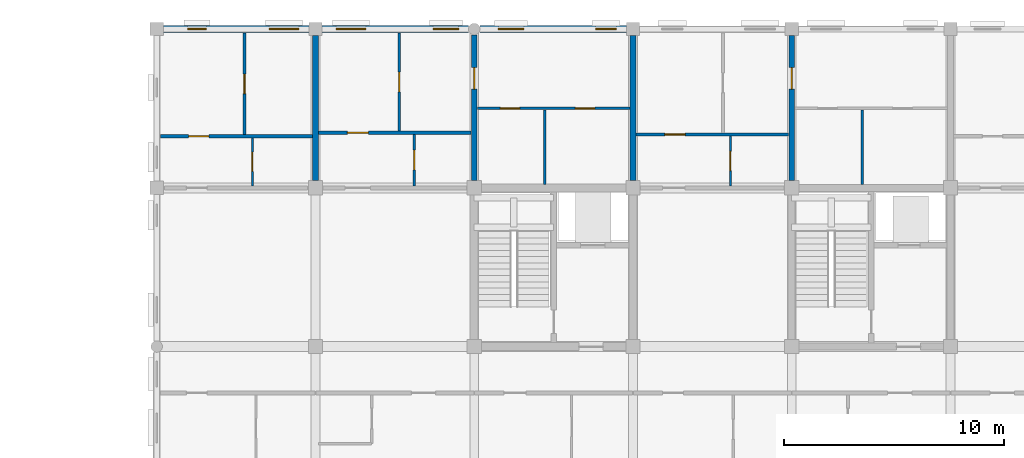
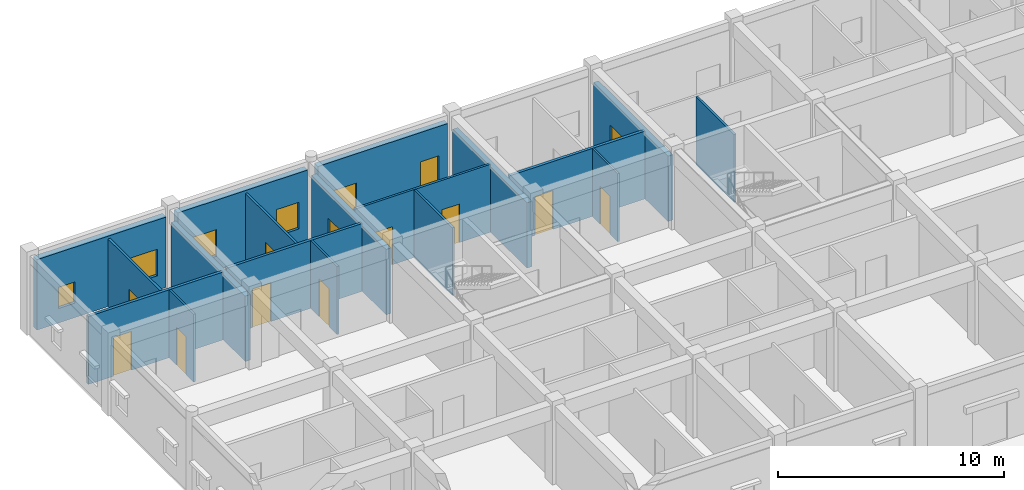
# One storey, part 118 of 138: 18 walls, 12 doors, 6 windows, 18 openings.
"""IFC4 building model written with IfcOpenShell, lengths in metres."""

from ifc_helpers import new_model, si_unit, direction, frame, frame_2d, origin, place, context, subcontext, project, spatial, rectangle, extrude, material, layer, layer_set, type_object, element, fill, save


model = new_model("IFC4")

# Units and contexts
model_context = context("Model", 3, precision=1e-05, world=origin(), true_north=direction((0.0, 1.0)))
body_context = subcontext(model_context, "Body", "Model", "MODEL_VIEW")
ifc_project = project(units=[si_unit("LENGTHUNIT", "METRE"), si_unit("AREAUNIT", "SQUARE_METRE"), si_unit("VOLUMEUNIT", "CUBIC_METRE"), si_unit("PLANEANGLEUNIT", "RADIAN"), si_unit("MASSUNIT", "GRAM", prefix="KILO"), si_unit("THERMODYNAMICTEMPERATUREUNIT", "KELVIN"), si_unit("POWERUNIT", "WATT")], contexts=[model_context])

# Site, building, storey
site_placement = place(None, origin())
site = spatial("IfcSite", under=ifc_project, at=site_placement, CompositionType="ELEMENT")
building_placement = place(site_placement, origin())
building = spatial("IfcBuilding", under=site, at=building_placement, Name="Tavuni Mirador Residences", CompositionType="ELEMENT")
storey_placement = place(building_placement, origin())
storey = spatial("IfcBuildingStorey", under=building, at=storey_placement, Name="L00", CompositionType="ELEMENT", Elevation=0.0)

# Wall, openings, windows
ifc_material_1 = material(Name="Precast concrete C40/50", Category="concrete")
ifc_layer_1 = layer(ifc_material_1, 0.330078125, Name="Precast concrete C40/50", Category="concrete")
ifc_layer_set_1 = layer_set([ifc_layer_1], Name="Precast concrete C40/50")
wall_type_1 = type_object("IfcWallType", Name="WT-EXT-COR330", PredefinedType="SOLIDWALL", material=ifc_layer_set_1)
wall_1_placement = place(storey_placement, frame((17.699951171875, 172.800048828125, 0.0), z_axis=(0.0, 0.0, 1.0), x_axis=(-1.0, 0.0, 0.0)))
wall_1 = element("IfcWall", 1, at=wall_1_placement, inside=storey, type_object=wall_type_1, Name="EW-BLK-C-L00-N00", PredefinedType="SOLIDWALL", context=body_context, shape_type="SweptSolid", body=[
    extrude(rectangle(XDim=6.599853515625, YDim=0.330078125, at=frame_2d((3.2998046875, 0.0))), origin(), (0.0, 0.0, 1.0), 3.804931640625),
])
opening_1_placement = place(wall_1_placement, frame((0.449951171875, 0.0, 0.780029296875)))
opening_1 = element("IfcOpeningElement", 2, at=opening_1_placement, cuts=wall_1, Name="Opening WN-29", PredefinedType="OPENING", context=body_context, shape_type="SweptSolid", body=[
    extrude(rectangle(XDim=1.35009765625, YDim=1.43994140625, at=frame_2d((0.675048828125, 0.719970703125))), frame((0.0, 0.175048828125, 0.0), z_axis=(0.0, -1.0, 0.0), x_axis=(1.0, 0.0, 0.0)), (0.0, 0.0, 1.0), 0.35009765625),
])
opening_2_placement = place(wall_1_placement, frame((4.64990234375, 0.0, 0.780029296875)))
opening_2 = element("IfcOpeningElement", 3, at=opening_2_placement, cuts=wall_1, Name="Opening WN-01", PredefinedType="OPENING", context=body_context, shape_type="SweptSolid", body=[
    extrude(rectangle(XDim=0.85009765625, YDim=1.14990234375, at=frame_2d((0.425048828125, 0.574951171875))), frame((0.0, 0.175048828125, 0.0), z_axis=(0.0, -1.0, 0.0), x_axis=(1.0, 0.0, 0.0)), (0.0, 0.0, 1.0), 0.35009765625),
])
ifc_material_2 = material(Name="Laminated solar-control glass", Category="glass")
window_type_1 = type_object("IfcWindowType", Name="WNT-01", PartitioningType="SINGLE_PANEL", PredefinedType="WINDOW", material=ifc_material_2)
window_1_placement = place(opening_2_placement, origin())
window_1 = element("IfcWindow", 4, at=window_1_placement, inside=storey, type_object=window_type_1, Name="WIN-0839", OverallHeight=1.14990234375, OverallWidth=0.85009765625, PartitioningType="SINGLE_PANEL", PredefinedType="WINDOW", context=body_context, shape_type="SweptSolid", body=[
    extrude(rectangle(XDim=0.85009765625, YDim=1.14990234375, at=frame_2d((0.425048828125, 0.574951171875))), frame((0.0, 0.030029296875, 0.0), z_axis=(0.0, -1.0, 0.0), x_axis=(1.0, 0.0, 0.0)), (0.0, 0.0, 1.0), 0.06005859375),
])
fill(opening_2, window_1)
window_type_2 = type_object("IfcWindowType", Name="WNT-29", PartitioningType="SINGLE_PANEL", PredefinedType="WINDOW", material=ifc_material_2)
window_2_placement = place(opening_1_placement, origin())
window_2 = element("IfcWindow", 5, at=window_2_placement, inside=storey, type_object=window_type_2, Name="WIN-0838", OverallHeight=1.43994140625, OverallWidth=1.35009765625, PartitioningType="SINGLE_PANEL", PredefinedType="WINDOW", context=body_context, shape_type="SweptSolid", body=[
    extrude(rectangle(XDim=1.35009765625, YDim=1.43994140625, at=frame_2d((0.675048828125, 0.719970703125))), frame((0.0, 0.030029296875, 0.0), z_axis=(0.0, -1.0, 0.0), x_axis=(1.0, 0.0, 0.0)), (0.0, 0.0, 1.0), 0.06005859375),
])
fill(opening_1, window_2)

ifc_material_3 = material(Name="Sgraffito lime-rendered precast concrete C40/50", Category="concrete")
ifc_layer_2 = layer(ifc_material_3, 0.304931640625, Name="Sgraffito lime-rendered precast concrete C40/50", Category="concrete")
ifc_layer_set_2 = layer_set([ifc_layer_2], Name="Sgraffito lime-rendered precast concrete C40/50")
wall_type_2 = type_object("IfcWallType", Name="WT-EXT-PC305", PredefinedType="SOLIDWALL", material=ifc_layer_set_2)
wall_2_placement = place(storey_placement, frame((32.10009765625, 172.800048828125, 0.0), z_axis=(0.0, 0.0, 1.0), x_axis=(-1.0, 0.0, 0.0)))
wall_2 = element("IfcWall", 6, at=wall_2_placement, inside=storey, type_object=wall_type_2, Name="EW-BLK-C-L00-N02", PredefinedType="SOLIDWALL", context=body_context, shape_type="SweptSolid", body=[
    extrude(rectangle(XDim=6.64013671875, YDim=0.304931640625, at=frame_2d((3.320068359375, 0.0))), origin(), (0.0, 0.0, 1.0), 3.804931640625),
])
opening_3_placement = place(wall_2_placement, frame((0.449951171875, 0.0, 0.780029296875)))
opening_3 = element("IfcOpeningElement", 7, at=opening_3_placement, cuts=wall_2, Name="Opening WN-25", PredefinedType="OPENING", context=body_context, shape_type="SweptSolid", body=[
    extrude(rectangle(XDim=0.93994140625, YDim=1.43994140625, at=frame_2d((0.469970703125, 0.719970703125))), frame((0.0, 0.16259765625, 0.0), z_axis=(0.0, -1.0, 0.0), x_axis=(1.0, 0.0, 0.0)), (0.0, 0.0, 1.0), 0.324951171875),
])
opening_4_placement = place(wall_2_placement, frame((4.64990234375, 0.0, 0.780029296875)))
opening_4 = element("IfcOpeningElement", 8, at=opening_4_placement, cuts=wall_2, Name="Opening WN-27", PredefinedType="OPENING", context=body_context, shape_type="SweptSolid", body=[
    extrude(rectangle(XDim=1.14990234375, YDim=1.43994140625, at=frame_2d((0.574951171875, 0.719970703125))), frame((0.0, 0.16259765625, 0.0), z_axis=(0.0, -1.0, 0.0), x_axis=(1.0, 0.0, 0.0)), (0.0, 0.0, 1.0), 0.324951171875),
])
window_type_3 = type_object("IfcWindowType", Name="WNT-25", PartitioningType="SINGLE_PANEL", PredefinedType="WINDOW", material=ifc_material_2)
window_3_placement = place(opening_3_placement, origin())
window_3 = element("IfcWindow", 9, at=window_3_placement, inside=storey, type_object=window_type_3, Name="WIN-0834", OverallHeight=1.43994140625, OverallWidth=0.93994140625, PartitioningType="SINGLE_PANEL", PredefinedType="WINDOW", context=body_context, shape_type="SweptSolid", body=[
    extrude(rectangle(XDim=0.93994140625, YDim=1.43994140625, at=frame_2d((0.469970703125, 0.719970703125))), frame((0.0, 0.030029296875, 0.0), z_axis=(0.0, -1.0, 0.0), x_axis=(1.0, 0.0, 0.0)), (0.0, 0.0, 1.0), 0.06005859375),
])
fill(opening_3, window_3)
window_type_4 = type_object("IfcWindowType", Name="WNT-27", PartitioningType="SINGLE_PANEL", PredefinedType="WINDOW", material=ifc_material_2)
window_4_placement = place(opening_4_placement, origin())
window_4 = element("IfcWindow", 10, at=window_4_placement, inside=storey, type_object=window_type_4, Name="WIN-0835", OverallHeight=1.43994140625, OverallWidth=1.14990234375, PartitioningType="SINGLE_PANEL", PredefinedType="WINDOW", context=body_context, shape_type="SweptSolid", body=[
    extrude(rectangle(XDim=1.14990234375, YDim=1.43994140625, at=frame_2d((0.574951171875, 0.719970703125))), frame((0.0, 0.030029296875, 0.0), z_axis=(0.0, -1.0, 0.0), x_axis=(1.0, 0.0, 0.0)), (0.0, 0.0, 1.0), 0.06005859375),
])
fill(opening_4, window_4)

ifc_layer_3 = layer(ifc_material_3, 0.31494140625, Name="Sgraffito lime-rendered precast concrete C40/50", Category="concrete")
ifc_layer_set_3 = layer_set([ifc_layer_3], Name="Sgraffito lime-rendered precast concrete C40/50")
wall_type_3 = type_object("IfcWallType", Name="WT-EXT-PC315", PredefinedType="SOLIDWALL", material=ifc_layer_set_3)
wall_3_placement = place(storey_placement, frame((24.93994140625, 172.800048828125, 0.0), z_axis=(0.0, 0.0, 1.0), x_axis=(-1.0, 0.0, 0.0)))
wall_3 = element("IfcWall", 11, at=wall_3_placement, inside=storey, type_object=wall_type_3, Name="EW-BLK-C-L00-N01", PredefinedType="SOLIDWALL", context=body_context, shape_type="SweptSolid", body=[
    extrude(rectangle(XDim=6.639892578125, YDim=0.31494140625, at=frame_2d((3.31982421875, 0.0))), origin(), (0.0, 0.0, 1.0), 3.804931640625),
])
opening_5_placement = place(wall_3_placement, frame((0.449951171875, 0.0, 0.780029296875)))
opening_5 = element("IfcOpeningElement", 12, at=opening_5_placement, cuts=wall_3, Name="Opening WN-27", PredefinedType="OPENING", context=body_context, shape_type="SweptSolid", body=[
    extrude(rectangle(XDim=1.14990234375, YDim=1.43994140625, at=frame_2d((0.574951171875, 0.719970703125))), frame((0.0, 0.16748046875, 0.0), z_axis=(0.0, -1.0, 0.0), x_axis=(1.0, 0.0, 0.0)), (0.0, 0.0, 1.0), 0.3349609375),
])
opening_6_placement = place(wall_3_placement, frame((4.64990234375, 0.0, 0.780029296875)))
opening_6 = element("IfcOpeningElement", 13, at=opening_6_placement, cuts=wall_3, Name="Opening WN-29", PredefinedType="OPENING", context=body_context, shape_type="SweptSolid", body=[
    extrude(rectangle(XDim=1.35009765625, YDim=1.43994140625, at=frame_2d((0.675048828125, 0.719970703125))), frame((0.0, 0.16748046875, 0.0), z_axis=(0.0, -1.0, 0.0), x_axis=(1.0, 0.0, 0.0)), (0.0, 0.0, 1.0), 0.3349609375),
])
window_5_placement = place(opening_5_placement, origin())
window_5 = element("IfcWindow", 14, at=window_5_placement, inside=storey, type_object=window_type_4, Name="WIN-0836", OverallHeight=1.43994140625, OverallWidth=1.14990234375, PartitioningType="SINGLE_PANEL", PredefinedType="WINDOW", context=body_context, shape_type="SweptSolid", body=[
    extrude(rectangle(XDim=1.14990234375, YDim=1.43994140625, at=frame_2d((0.574951171875, 0.719970703125))), frame((0.0, 0.030029296875, 0.0), z_axis=(0.0, -1.0, 0.0), x_axis=(1.0, 0.0, 0.0)), (0.0, 0.0, 1.0), 0.06005859375),
])
fill(opening_5, window_5)
window_6_placement = place(opening_6_placement, origin())
window_6 = element("IfcWindow", 15, at=window_6_placement, inside=storey, type_object=window_type_2, Name="WIN-0837", OverallHeight=1.43994140625, OverallWidth=1.35009765625, PartitioningType="SINGLE_PANEL", PredefinedType="WINDOW", context=body_context, shape_type="SweptSolid", body=[
    extrude(rectangle(XDim=1.35009765625, YDim=1.43994140625, at=frame_2d((0.675048828125, 0.719970703125))), frame((0.0, 0.030029296875, 0.0), z_axis=(0.0, -1.0, 0.0), x_axis=(1.0, 0.0, 0.0)), (0.0, 0.0, 1.0), 0.06005859375),
])
fill(opening_6, window_6)

# Wall, opening, door
ifc_material_4 = material(Name="Acoustic gypsum and concrete block partition", Category="concrete")
ifc_layer_4 = layer(ifc_material_4, 0.094970703125, Name="Acoustic gypsum and concrete block partition", Category="concrete")
ifc_layer_set_4 = layer_set([ifc_layer_4], Name="Acoustic gypsum and concrete block partition")
wall_type_4 = type_object("IfcWallType", Name="WT-PART095", PredefinedType="PARTITIONING", material=ifc_layer_set_4)
wall_4_placement = place(storey_placement, frame((15.139892578125, 165.68994140625, 0.0), z_axis=(0.0, 0.0, 1.0), x_axis=(0.0, 1.0, 0.0)))
wall_4 = element("IfcWall", 16, at=wall_4_placement, inside=storey, type_object=wall_type_4, Name="PW-BLK-C-L00-N00-IN1", PredefinedType="PARTITIONING", context=body_context, shape_type="SweptSolid", body=[
    extrude(rectangle(XDim=2.18017578125, YDim=0.094970703125, at=frame_2d((1.090087890625, 0.0))), origin(), (0.0, 0.0, 1.0), 3.669921875),
])
opening_7_placement = place(wall_4_placement, frame((0.655029296875, 0.0, 0.0)))
opening_7 = element("IfcOpeningElement", 17, at=opening_7_placement, cuts=wall_4, Name="Opening D-10", PredefinedType="OPENING", context=body_context, shape_type="SweptSolid", body=[
    extrude(rectangle(XDim=0.8701171875, YDim=2.050048828125, at=frame_2d((0.43505859375, 1.02490234375))), frame((0.0, 0.0576171875, 0.0), z_axis=(0.0, -1.0, 0.0), x_axis=(1.0, 0.0, 0.0)), (0.0, 0.0, 1.0), 0.114990234375),
])
ifc_material_5 = material(Name="Solid core iroko timber", Category="wood")
door_type_1 = type_object("IfcDoorType", Name="DT-WC870", OperationType="NOTDEFINED", PredefinedType="DOOR", material=ifc_material_5)
door_1_placement = place(opening_7_placement, origin())
door_1 = element("IfcDoor", 18, at=door_1_placement, inside=storey, type_object=door_type_1, Name="DR-3648", OperationType="SINGLE_SWING_RIGHT", OverallHeight=2.050048828125, OverallWidth=0.8701171875, PredefinedType="DOOR", context=body_context, shape_type="SweptSolid", body=[
    extrude(rectangle(XDim=0.8701171875, YDim=2.050048828125, at=frame_2d((0.43505859375, 1.02490234375))), frame((0.0, 0.02490234375, 0.0), z_axis=(0.0, -1.0, 0.0), x_axis=(1.0, 0.0, 0.0)), (0.0, 0.0, 1.0), 0.050048828125),
])
fill(opening_7, door_1)

wall_5_placement = place(storey_placement, frame((36.820068359375, 165.68994140625, 0.0), z_axis=(0.0, 0.0, 1.0), x_axis=(0.0, 1.0, 0.0)))
wall_5 = element("IfcWall", 19, at=wall_5_placement, inside=storey, type_object=wall_type_4, Name="PW-BLK-C-L00-N03-IN1", PredefinedType="PARTITIONING", context=body_context, shape_type="SweptSolid", body=[
    extrude(rectangle(XDim=2.260009765625, YDim=0.094970703125, at=frame_2d((1.1298828125, 0.0))), origin(), (0.0, 0.0, 1.0), 3.669921875),
])
opening_8_placement = place(wall_5_placement, frame((0.695068359375, 0.0, 0.0)))
opening_8 = element("IfcOpeningElement", 20, at=opening_8_placement, cuts=wall_5, Name="Opening D-10", PredefinedType="OPENING", context=body_context, shape_type="SweptSolid", body=[
    extrude(rectangle(XDim=0.8701171875, YDim=2.050048828125, at=frame_2d((0.43505859375, 1.02490234375))), frame((0.0, 0.0576171875, 0.0), z_axis=(0.0, -1.0, 0.0), x_axis=(1.0, 0.0, 0.0)), (0.0, 0.0, 1.0), 0.114990234375),
])
door_2_placement = place(opening_8_placement, origin())
door_2 = element("IfcDoor", 21, at=door_2_placement, inside=storey, type_object=door_type_1, Name="DR-3663", OperationType="SINGLE_SWING_RIGHT", OverallHeight=2.050048828125, OverallWidth=0.8701171875, PredefinedType="DOOR", context=body_context, shape_type="SweptSolid", body=[
    extrude(rectangle(XDim=0.8701171875, YDim=2.050048828125, at=frame_2d((0.43505859375, 1.02490234375))), frame((0.0, 0.02490234375, 0.0), z_axis=(0.0, -1.0, 0.0), x_axis=(1.0, 0.0, 0.0)), (0.0, 0.0, 1.0), 0.050048828125),
])
fill(opening_8, door_2)

ifc_layer_5 = layer(ifc_material_4, 0.10498046875, Name="Acoustic gypsum and concrete block partition", Category="concrete")
ifc_layer_set_5 = layer_set([ifc_layer_5], Name="Acoustic gypsum and concrete block partition")
wall_type_5 = type_object("IfcWallType", Name="WT-PART105", PredefinedType="PARTITIONING", material=ifc_layer_set_5)
wall_6_placement = place(storey_placement, frame((22.47998046875, 165.68994140625, 0.0), z_axis=(0.0, 0.0, 1.0), x_axis=(0.0, 1.0, 0.0)))
wall_6 = element("IfcWall", 22, at=wall_6_placement, inside=storey, type_object=wall_type_5, Name="PW-BLK-C-L00-N01-IN1", PredefinedType="PARTITIONING", context=body_context, shape_type="SweptSolid", body=[
    extrude(rectangle(XDim=2.340087890625, YDim=0.10498046875, at=frame_2d((1.169921875, 0.0))), origin(), (0.0, 0.0, 1.0), 3.669921875),
])
opening_9_placement = place(wall_6_placement, frame((0.719970703125, 0.0, 0.0)))
opening_9 = element("IfcOpeningElement", 23, at=opening_9_placement, cuts=wall_6, Name="Opening D-09", PredefinedType="OPENING", context=body_context, shape_type="SweptSolid", body=[
    extrude(rectangle(XDim=0.89990234375, YDim=2.050048828125, at=frame_2d((0.449951171875, 1.02490234375))), frame((0.0, 0.0625, 0.0), z_axis=(0.0, -1.0, 0.0), x_axis=(1.0, 0.0, 0.0)), (0.0, 0.0, 1.0), 0.125),
])
door_type_2 = type_object("IfcDoorType", Name="DT-WC900", OperationType="NOTDEFINED", PredefinedType="DOOR", material=ifc_material_5)
door_3_placement = place(opening_9_placement, origin())
door_3 = element("IfcDoor", 24, at=door_3_placement, inside=storey, type_object=door_type_2, Name="DR-3652", OperationType="SINGLE_SWING_LEFT", OverallHeight=2.050048828125, OverallWidth=0.89990234375, PredefinedType="DOOR", context=body_context, shape_type="SweptSolid", body=[
    extrude(rectangle(XDim=0.89990234375, YDim=2.050048828125, at=frame_2d((0.449951171875, 1.02490234375))), frame((0.0, 0.02490234375, 0.0), z_axis=(0.0, -1.0, 0.0), x_axis=(1.0, 0.0, 0.0)), (0.0, 0.0, 1.0), 0.050048828125),
])
fill(opening_9, door_3)

# Walls
for number, where, z_axis, x_axis, name in (
    (25, (28.39990234375, 165.739990234375, 0.0), (0.0, 0.0, 1.0), (0.0, 1.0, 0.0), "PW-BLK-C-L00-NC02-V"),
    (26, (42.800048828125, 165.739990234375, 0.0), (0.0, 0.0, 1.0), (0.0, 1.0, 0.0), "PW-BLK-C-L00-NC04-V"),
):
    element("IfcWall", number, at=place(storey_placement, frame(where, z_axis=z_axis, x_axis=x_axis)), inside=storey, type_object=wall_type_5, Name=name, PredefinedType="PARTITIONING", context=body_context, shape_type="SweptSolid", body=[
        extrude(rectangle(XDim=3.389892578125, YDim=0.10498046875, at=frame_2d((1.69482421875, 0.0))), origin(), (0.0, 0.0, 1.0), 3.669921875),
    ])

# Wall, opening, door
ifc_layer_6 = layer(ifc_material_4, 0.114990234375, Name="Acoustic gypsum and concrete block partition", Category="concrete")
ifc_layer_set_6 = layer_set([ifc_layer_6], Name="Acoustic gypsum and concrete block partition")
wall_type_6 = type_object("IfcWallType", Name="WT-PART115", PredefinedType="PARTITIONING", material=ifc_layer_set_6)
wall_7_placement = place(storey_placement, frame((21.800048828125, 168.169921875, 0.0), z_axis=(0.0, 0.0, 1.0), x_axis=(0.0, 1.0, 0.0)))
wall_7 = element("IfcWall", 27, at=wall_7_placement, inside=storey, type_object=wall_type_6, Name="PW-BLK-C-L00-N01-OUT", PredefinedType="PARTITIONING", context=body_context, shape_type="SweptSolid", body=[
    extrude(rectangle(XDim=4.455078125, YDim=0.114990234375, at=frame_2d((2.2275390625, 0.0))), origin(), (0.0, 0.0, 1.0), 3.669921875),
])
opening_10_placement = place(wall_7_placement, frame((1.777587890625, 0.0, 0.0)))
opening_10 = element("IfcOpeningElement", 28, at=opening_10_placement, cuts=wall_7, Name="Opening D-07", PredefinedType="OPENING", context=body_context, shape_type="SweptSolid", body=[
    extrude(rectangle(XDim=0.89990234375, YDim=2.10009765625, at=frame_2d((0.449951171875, 1.050048828125))), frame((0.0, 0.0673828125, 0.0), z_axis=(0.0, -1.0, 0.0), x_axis=(1.0, 0.0, 0.0)), (0.0, 0.0, 1.0), 0.135009765625),
])
door_type_3 = type_object("IfcDoorType", Name="DT-BED900", OperationType="NOTDEFINED", PredefinedType="DOOR", material=ifc_material_5)
door_4_placement = place(opening_10_placement, origin())
door_4 = element("IfcDoor", 29, at=door_4_placement, inside=storey, type_object=door_type_3, Name="DR-3651", OperationType="SINGLE_SWING_RIGHT", OverallHeight=2.10009765625, OverallWidth=0.89990234375, PredefinedType="DOOR", context=body_context, shape_type="SweptSolid", body=[
    extrude(rectangle(XDim=0.89990234375, YDim=2.10009765625, at=frame_2d((0.449951171875, 1.050048828125))), frame((0.0, 0.02490234375, 0.0), z_axis=(0.0, -1.0, 0.0), x_axis=(1.0, 0.0, 0.0)), (0.0, 0.0, 1.0), 0.050048828125),
])
fill(opening_10, door_4)

# Wall, openings, doors
wall_8_placement = place(storey_placement, frame((25.340087890625, 169.199951171875, 0.0), z_axis=(0.0, 0.0, 1.0), x_axis=(1.0, 0.0, 0.0)))
wall_8 = element("IfcWall", 30, at=wall_8_placement, inside=storey, type_object=wall_type_6, Name="PW-BLK-C-L00-NC02-M", PredefinedType="PARTITIONING", context=body_context, shape_type="SweptSolid", body=[
    extrude(rectangle(XDim=6.919921875, YDim=0.114990234375, at=frame_2d((3.4599609375, 0.0))), origin(), (0.0, 0.0, 1.0), 3.669921875),
])
opening_11_placement = place(wall_8_placement, frame((1.050048828125, 0.0, 0.0)))
opening_11 = element("IfcOpeningElement", 31, at=opening_11_placement, cuts=wall_8, Name="Opening D-10", PredefinedType="OPENING", context=body_context, shape_type="SweptSolid", body=[
    extrude(rectangle(XDim=0.8701171875, YDim=2.050048828125, at=frame_2d((0.43505859375, 1.02490234375))), frame((0.0, 0.0673828125, 0.0), z_axis=(0.0, -1.0, 0.0), x_axis=(1.0, 0.0, 0.0)), (0.0, 0.0, 1.0), 0.135009765625),
])
opening_12_placement = place(wall_8_placement, frame((4.449951171875, 0.0, 0.0)))
opening_12 = element("IfcOpeningElement", 32, at=opening_12_placement, cuts=wall_8, Name="Opening D-08", PredefinedType="OPENING", context=body_context, shape_type="SweptSolid", body=[
    extrude(rectangle(XDim=0.8798828125, YDim=2.080078125, at=frame_2d((0.43994140625, 1.0400390625))), frame((0.0, 0.0673828125, 0.0), z_axis=(0.0, -1.0, 0.0), x_axis=(1.0, 0.0, 0.0)), (0.0, 0.0, 1.0), 0.135009765625),
])
door_type_4 = type_object("IfcDoorType", Name="DT-BED880", OperationType="NOTDEFINED", PredefinedType="DOOR", material=ifc_material_5)
door_5_placement = place(opening_12_placement, origin())
door_5 = element("IfcDoor", 33, at=door_5_placement, inside=storey, type_object=door_type_4, Name="DR-3658", OperationType="SINGLE_SWING_RIGHT", OverallHeight=2.080078125, OverallWidth=0.8798828125, PredefinedType="DOOR", context=body_context, shape_type="SweptSolid", body=[
    extrude(rectangle(XDim=0.8798828125, YDim=2.080078125, at=frame_2d((0.43994140625, 1.0400390625))), frame((0.0, 0.02490234375, 0.0), z_axis=(0.0, -1.0, 0.0), x_axis=(1.0, 0.0, 0.0)), (0.0, 0.0, 1.0), 0.050048828125),
])
fill(opening_12, door_5)
door_6_placement = place(opening_11_placement, origin())
door_6 = element("IfcDoor", 34, at=door_6_placement, inside=storey, type_object=door_type_1, Name="DR-3657", OperationType="SINGLE_SWING_LEFT", OverallHeight=2.050048828125, OverallWidth=0.8701171875, PredefinedType="DOOR", context=body_context, shape_type="SweptSolid", body=[
    extrude(rectangle(XDim=0.8701171875, YDim=2.050048828125, at=frame_2d((0.43505859375, 1.02490234375))), frame((0.0, 0.02490234375, 0.0), z_axis=(0.0, -1.0, 0.0), x_axis=(1.0, 0.0, 0.0)), (0.0, 0.0, 1.0), 0.050048828125),
])
fill(opening_11, door_6)

# Wall, opening, door
ifc_layer_7 = layer(ifc_material_4, 0.125, Name="Acoustic gypsum and concrete block partition", Category="concrete")
ifc_layer_set_7 = layer_set([ifc_layer_7], Name="Acoustic gypsum and concrete block partition")
wall_type_7 = type_object("IfcWallType", Name="WT-PART125", PredefinedType="PARTITIONING", material=ifc_layer_set_7)
wall_9_placement = place(storey_placement, frame((14.780029296875, 168.010009765625, 0.0), z_axis=(0.0, 0.0, 1.0), x_axis=(0.0, 1.0, 0.0)))
wall_9 = element("IfcWall", 35, at=wall_9_placement, inside=storey, type_object=wall_type_7, Name="PW-BLK-C-L00-N00-OUT", PredefinedType="PARTITIONING", context=body_context, shape_type="SweptSolid", body=[
    extrude(rectangle(XDim=4.614990234375, YDim=0.125, at=frame_2d((2.3076171875, 0.0))), origin(), (0.0, 0.0, 1.0), 3.669921875),
])
opening_13_placement = place(wall_9_placement, frame((1.867431640625, 0.0, 0.0)))
opening_13 = element("IfcOpeningElement", 36, at=opening_13_placement, cuts=wall_9, Name="Opening D-08", PredefinedType="OPENING", context=body_context, shape_type="SweptSolid", body=[
    extrude(rectangle(XDim=0.8798828125, YDim=2.080078125, at=frame_2d((0.43994140625, 1.0400390625))), frame((0.0, 0.072509765625, 0.0), z_axis=(0.0, -1.0, 0.0), x_axis=(1.0, 0.0, 0.0)), (0.0, 0.0, 1.0), 0.14501953125),
])
door_7_placement = place(opening_13_placement, origin())
door_7 = element("IfcDoor", 37, at=door_7_placement, inside=storey, type_object=door_type_4, Name="DR-3647", OperationType="SINGLE_SWING_LEFT", OverallHeight=2.080078125, OverallWidth=0.8798828125, PredefinedType="DOOR", context=body_context, shape_type="SweptSolid", body=[
    extrude(rectangle(XDim=0.8798828125, YDim=2.080078125, at=frame_2d((0.43994140625, 1.0400390625))), frame((0.0, 0.02490234375, 0.0), z_axis=(0.0, -1.0, 0.0), x_axis=(1.0, 0.0, 0.0)), (0.0, 0.0, 1.0), 0.050048828125),
])
fill(opening_13, door_7)

ifc_layer_8 = layer(ifc_material_4, 0.139892578125, Name="Acoustic gypsum and concrete block partition", Category="concrete")
ifc_layer_set_8 = layer_set([ifc_layer_8], Name="Acoustic gypsum and concrete block partition")
wall_type_8 = type_object("IfcWallType", Name="WT-PART140", PredefinedType="PARTITIONING", material=ifc_layer_set_8)
wall_10_placement = place(storey_placement, frame((18.139892578125, 168.10009765625, 0.0), z_axis=(0.0, 0.0, 1.0), x_axis=(1.0, 0.0, 0.0)))
wall_10 = element("IfcWall", 38, at=wall_10_placement, inside=storey, type_object=wall_type_8, Name="PW-BLK-C-L00-N01-MID", PredefinedType="PARTITIONING", context=body_context, shape_type="SweptSolid", body=[
    extrude(rectangle(XDim=6.920166015625, YDim=0.139892578125, at=frame_2d((3.4599609375, 0.0))), origin(), (0.0, 0.0, 1.0), 3.669921875),
])
opening_14_placement = place(wall_10_placement, frame((1.31005859375, 0.0, 0.0)))
opening_14 = element("IfcOpeningElement", 39, at=opening_14_placement, cuts=wall_10, Name="Opening D-05", PredefinedType="OPENING", context=body_context, shape_type="SweptSolid", body=[
    extrude(rectangle(XDim=0.949951171875, YDim=2.10009765625, at=frame_2d((0.47509765625, 1.050048828125))), frame((0.0, 0.080078125, 0.0), z_axis=(0.0, -1.0, 0.0), x_axis=(1.0, 0.0, 0.0)), (0.0, 0.0, 1.0), 0.159912109375),
])
door_type_5 = type_object("IfcDoorType", Name="DT-INT950", OperationType="NOTDEFINED", PredefinedType="DOOR", material=ifc_material_5)
door_8_placement = place(opening_14_placement, origin())
door_8 = element("IfcDoor", 40, at=door_8_placement, inside=storey, type_object=door_type_5, Name="DR-3653", OperationType="SINGLE_SWING_LEFT", OverallHeight=2.10009765625, OverallWidth=0.949951171875, PredefinedType="DOOR", context=body_context, shape_type="SweptSolid", body=[
    extrude(rectangle(XDim=0.949951171875, YDim=2.10009765625, at=frame_2d((0.47509765625, 1.050048828125))), frame((0.0, 0.02490234375, 0.0), z_axis=(0.0, -1.0, 0.0), x_axis=(1.0, 0.0, 0.0)), (0.0, 0.0, 1.0), 0.050048828125),
])
fill(opening_14, door_8)

ifc_layer_9 = layer(ifc_material_4, 0.14990234375, Name="Acoustic gypsum and concrete block partition", Category="concrete")
ifc_layer_set_9 = layer_set([ifc_layer_9], Name="Acoustic gypsum and concrete block partition")
wall_type_9 = type_object("IfcWallType", Name="WT-PART150", PredefinedType="PARTITIONING", material=ifc_layer_set_9)
wall_11_placement = place(storey_placement, frame((10.97509765625, 167.93994140625, 0.0), z_axis=(0.0, 0.0, 1.0), x_axis=(1.0, 0.0, 0.0)))
wall_11 = element("IfcWall", 41, at=wall_11_placement, inside=storey, type_object=wall_type_9, Name="PW-BLK-C-L00-N00-MID", PredefinedType="PARTITIONING", context=body_context, shape_type="SweptSolid", body=[
    extrude(rectangle(XDim=6.885009765625, YDim=0.14990234375, at=frame_2d((3.4423828125, 0.0))), origin(), (0.0, 0.0, 1.0), 3.669921875),
])
opening_15_placement = place(wall_11_placement, frame((1.27490234375, 0.0, 0.0)))
opening_15 = element("IfcOpeningElement", 42, at=opening_15_placement, cuts=wall_11, Name="Opening D-06", PredefinedType="OPENING", context=body_context, shape_type="SweptSolid", body=[
    extrude(rectangle(XDim=0.919921875, YDim=2.10009765625, at=frame_2d((0.4599609375, 1.050048828125))), frame((0.0, 0.0849609375, 0.0), z_axis=(0.0, -1.0, 0.0), x_axis=(1.0, 0.0, 0.0)), (0.0, 0.0, 1.0), 0.169921875),
])
door_type_6 = type_object("IfcDoorType", Name="DT-INT920", OperationType="NOTDEFINED", PredefinedType="DOOR", material=ifc_material_5)
door_9_placement = place(opening_15_placement, origin())
door_9 = element("IfcDoor", 43, at=door_9_placement, inside=storey, type_object=door_type_6, Name="DR-3649", OperationType="SINGLE_SWING_RIGHT", OverallHeight=2.10009765625, OverallWidth=0.919921875, PredefinedType="DOOR", context=body_context, shape_type="SweptSolid", body=[
    extrude(rectangle(XDim=0.919921875, YDim=2.10009765625, at=frame_2d((0.4599609375, 1.050048828125))), frame((0.0, 0.02490234375, 0.0), z_axis=(0.0, -1.0, 0.0), x_axis=(1.0, 0.0, 0.0)), (0.0, 0.0, 1.0), 0.050048828125),
])
fill(opening_15, door_9)

wall_12_placement = place(storey_placement, frame((32.5400390625, 168.02001953125, 0.0), z_axis=(0.0, 0.0, 1.0), x_axis=(1.0, 0.0, 0.0)))
wall_12 = element("IfcWall", 44, at=wall_12_placement, inside=storey, type_object=wall_type_9, Name="PW-BLK-C-L00-N03-MID", PredefinedType="PARTITIONING", context=body_context, shape_type="SweptSolid", body=[
    extrude(rectangle(XDim=6.919921875, YDim=0.14990234375, at=frame_2d((3.4599609375, 0.0))), origin(), (0.0, 0.0, 1.0), 3.669921875),
])
opening_16_placement = place(wall_12_placement, frame((1.31005859375, 0.0, 0.0)))
opening_16 = element("IfcOpeningElement", 45, at=opening_16_placement, cuts=wall_12, Name="Opening D-06", PredefinedType="OPENING", context=body_context, shape_type="SweptSolid", body=[
    extrude(rectangle(XDim=0.919921875, YDim=2.10009765625, at=frame_2d((0.4599609375, 1.050048828125))), frame((0.0, 0.0849609375, 0.0), z_axis=(0.0, -1.0, 0.0), x_axis=(1.0, 0.0, 0.0)), (0.0, 0.0, 1.0), 0.169921875),
])
door_10_placement = place(opening_16_placement, origin())
door_10 = element("IfcDoor", 46, at=door_10_placement, inside=storey, type_object=door_type_6, Name="DR-3664", OperationType="SINGLE_SWING_RIGHT", OverallHeight=2.10009765625, OverallWidth=0.919921875, PredefinedType="DOOR", context=body_context, shape_type="SweptSolid", body=[
    extrude(rectangle(XDim=0.919921875, YDim=2.10009765625, at=frame_2d((0.4599609375, 1.050048828125))), frame((0.0, 0.02490234375, 0.0), z_axis=(0.0, -1.0, 0.0), x_axis=(1.0, 0.0, 0.0)), (0.0, 0.0, 1.0), 0.050048828125),
])
fill(opening_16, door_10)

# Wall
ifc_layer_10 = layer(ifc_material_1, 0.264892578125, Name="Precast concrete C40/50", Category="concrete")
ifc_layer_set_10 = layer_set([ifc_layer_10], Name="Precast concrete C40/50")
wall_type_10 = type_object("IfcWallType", Name="WT-XW265", PredefinedType="SOLIDWALL", material=ifc_layer_set_10)
wall_13_placement = place(storey_placement, frame((18.0, 165.925048828125, 0.0), z_axis=(0.0, 0.0, 1.0), x_axis=(0.0, 1.0, 0.0)))
element("IfcWall", 47, at=wall_13_placement, inside=storey, type_object=wall_type_10, Name="XW-BLK-C-L00-N-01", PredefinedType="SOLIDWALL", context=body_context, shape_type="SweptSolid", body=[
    extrude(rectangle(XDim=6.574951171875, YDim=0.264892578125, at=frame_2d((3.28759765625, 0.0))), origin(), (0.0, 0.0, 1.0), 3.534912109375),
])

# Wall, opening, door
wall_14_placement = place(storey_placement, frame((25.199951171875, 165.925048828125, 0.0), z_axis=(0.0, 0.0, 1.0), x_axis=(0.0, 1.0, 0.0)))
wall_14 = element("IfcWall", 48, at=wall_14_placement, inside=storey, type_object=wall_type_10, Name="XW-BLK-C-L00-N-02", PredefinedType="SOLIDWALL", context=body_context, shape_type="SweptSolid", body=[
    extrude(rectangle(XDim=6.614990234375, YDim=0.264892578125, at=frame_2d((3.3076171875, 0.0))), origin(), (0.0, 0.0, 1.0), 3.534912109375),
])
opening_17_placement = place(wall_14_placement, frame((4.14990234375, 0.0, 0.0)))
opening_17 = element("IfcOpeningElement", 49, at=opening_17_placement, cuts=wall_14, Name="Opening D-04", PredefinedType="OPENING", context=body_context, shape_type="SweptSolid", body=[
    extrude(rectangle(XDim=0.97998046875, YDim=2.1201171875, at=frame_2d((0.489990234375, 1.06005859375))), frame((0.0, 0.142578125, 0.0), z_axis=(0.0, -1.0, 0.0), x_axis=(1.0, 0.0, 0.0)), (0.0, 0.0, 1.0), 0.284912109375),
])
door_type_7 = type_object("IfcDoorType", Name="DT-FD60-980", OperationType="NOTDEFINED", PredefinedType="DOOR", material=ifc_material_5)
door_11_placement = place(opening_17_placement, origin())
door_11 = element("IfcDoor", 50, at=door_11_placement, inside=storey, type_object=door_type_7, Name="DR-4728", OperationType="SINGLE_SWING_LEFT", OverallHeight=2.1201171875, OverallWidth=0.97998046875, PredefinedType="DOOR", context=body_context, shape_type="SweptSolid", body=[
    extrude(rectangle(XDim=0.97998046875, YDim=2.1201171875, at=frame_2d((0.489990234375, 1.06005859375))), frame((0.0, 0.02490234375, 0.0), z_axis=(0.0, -1.0, 0.0), x_axis=(1.0, 0.0, 0.0)), (0.0, 0.0, 1.0), 0.050048828125),
])
fill(opening_17, door_11)

# Wall
wall_15_placement = place(storey_placement, frame((32.39990234375, 165.925048828125, 0.0), z_axis=(0.0, 0.0, 1.0), x_axis=(0.0, 1.0, 0.0)))
element("IfcWall", 51, at=wall_15_placement, inside=storey, type_object=wall_type_10, Name="XW-BLK-C-L00-N-03", PredefinedType="SOLIDWALL", context=body_context, shape_type="SweptSolid", body=[
    extrude(rectangle(XDim=6.574951171875, YDim=0.264892578125, at=frame_2d((3.28759765625, 0.0))), origin(), (0.0, 0.0, 1.0), 3.534912109375),
])

# Wall, opening, door
wall_16_placement = place(storey_placement, frame((39.60009765625, 165.925048828125, 0.0), z_axis=(0.0, 0.0, 1.0), x_axis=(0.0, 1.0, 0.0)))
wall_16 = element("IfcWall", 52, at=wall_16_placement, inside=storey, type_object=wall_type_10, Name="XW-BLK-C-L00-N-04", PredefinedType="SOLIDWALL", context=body_context, shape_type="SweptSolid", body=[
    extrude(rectangle(XDim=6.574951171875, YDim=0.264892578125, at=frame_2d((3.28759765625, 0.0))), origin(), (0.0, 0.0, 1.0), 3.534912109375),
])
opening_18_placement = place(wall_16_placement, frame((4.14990234375, 0.0, 0.0)))
opening_18 = element("IfcOpeningElement", 53, at=opening_18_placement, cuts=wall_16, Name="Opening D-04", PredefinedType="OPENING", context=body_context, shape_type="SweptSolid", body=[
    extrude(rectangle(XDim=0.97998046875, YDim=2.1201171875, at=frame_2d((0.489990234375, 1.06005859375))), frame((0.0, 0.142578125, 0.0), z_axis=(0.0, -1.0, 0.0), x_axis=(1.0, 0.0, 0.0)), (0.0, 0.0, 1.0), 0.284912109375),
])
door_12_placement = place(opening_18_placement, origin())
door_12 = element("IfcDoor", 54, at=door_12_placement, inside=storey, type_object=door_type_7, Name="DR-4729", OperationType="SINGLE_SWING_RIGHT", OverallHeight=2.1201171875, OverallWidth=0.97998046875, PredefinedType="DOOR", context=body_context, shape_type="SweptSolid", body=[
    extrude(rectangle(XDim=0.97998046875, YDim=2.1201171875, at=frame_2d((0.489990234375, 1.06005859375))), frame((0.0, 0.02490234375, 0.0), z_axis=(0.0, -1.0, 0.0), x_axis=(1.0, 0.0, 0.0)), (0.0, 0.0, 1.0), 0.050048828125),
])
fill(opening_18, door_12)

save(model, "model.ifc")
